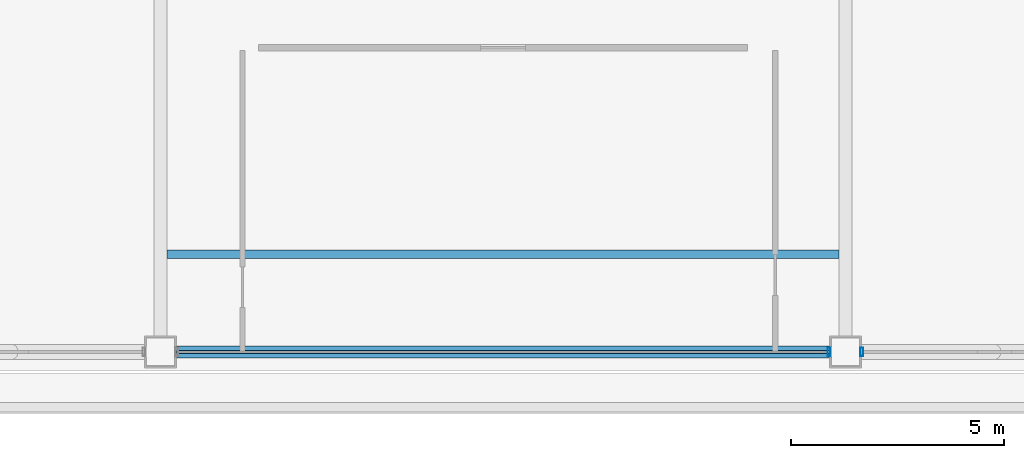
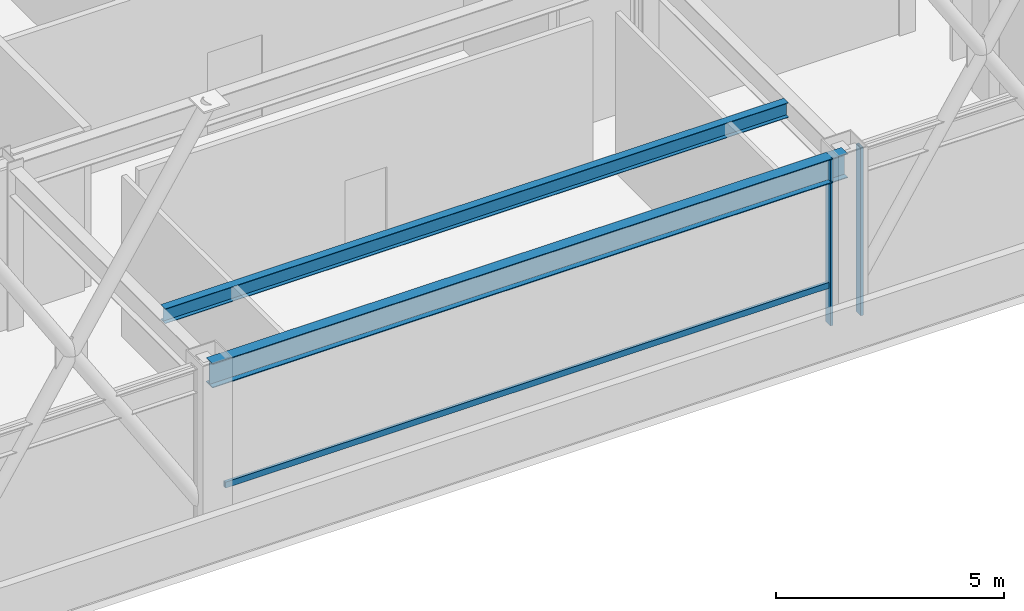
# One storey, part 5 of 24: 3 members, 2 beams, 2 elements without a shape of their own.
"""IFC4 building model written with IfcOpenShell, lengths in metres."""

from ifc_helpers import new_model, si_unit, direction, frame, origin, origin_2d, place, context, subcontext, project, spatial, hollow_rectangle, i_section, extrude, material, layer, layer_set, material_profile, profile_set, type_object, element, aggregate, save


model = new_model("IFC4")

# Units and contexts
model_context = context("Model", 3, precision=1e-05, world=origin(), true_north=direction((0.0, 1.0)))
body_context = subcontext(model_context, "Body", "Model", "MODEL_VIEW")
ifc_project = project(units=[si_unit("LENGTHUNIT", "METRE"), si_unit("AREAUNIT", "SQUARE_METRE"), si_unit("VOLUMEUNIT", "CUBIC_METRE"), si_unit("PLANEANGLEUNIT", "RADIAN"), si_unit("MASSUNIT", "GRAM", prefix="KILO")], contexts=[model_context])

# Site, building, storey
site_placement = place(None, origin())
site = spatial("IfcSite", under=ifc_project, at=site_placement, CompositionType="ELEMENT")
building_placement = place(site_placement, origin())
building = spatial("IfcBuilding", under=site, at=building_placement, Name="Brelmoor Portico Tower", CompositionType="ELEMENT")
storey_placement = place(building_placement, frame((0.0, 0.0, 150.60009765625)))
storey = spatial("IfcBuildingStorey", under=building, at=storey_placement, Name="L39", CompositionType="ELEMENT", Elevation=150.60009765625)

# Beams
ifc_material_1 = material(Name="Steel Q355B", Category="steel")
ifc_material_profile_1 = material_profile(ifc_material_1, i_section(OverallWidth=0.199951171875, OverallDepth=0.39990234375, WebThickness=0.008056640625, FlangeThickness=0.012939453125, at=origin_2d()), Name="HN 400x200x8x13")
ifc_profile_set_1 = profile_set([ifc_material_profile_1], Name="Steel Q355B")
beam_type_1 = type_object("IfcBeamType", Name="BM-JS-400", PredefinedType="JOIST", material=ifc_profile_set_1)
beam_1_placement = place(storey_placement, frame((-7.89990234375, -16.25, 4.099853515625), z_axis=(1.0, 0.0, 0.0), x_axis=(0.0, 1.0, 0.0)))
element("IfcBeam", 1, at=beam_1_placement, inside=storey, type_object=beam_type_1, Name="L39 Secondary Composite Joist JS-C01", PredefinedType="JOIST", context=body_context, shape_type="SweptSolid", body=[
    extrude(i_section(OverallWidth=0.199951171875, OverallDepth=0.39990234375, WebThickness=0.008056640625, FlangeThickness=0.012939453125, at=origin_2d()), origin(), (0.0, 0.0, 1.0), 15.7998046875),
])
ifc_material_profile_2 = material_profile(ifc_material_1, i_section(OverallWidth=0.280029296875, OverallDepth=0.64990234375, WebThickness=0.012939453125, FlangeThickness=0.02197265625, at=origin_2d()), Name="HN 650x280x13x22")
ifc_profile_set_2 = profile_set([ifc_material_profile_2], Name="Steel Q355B")
beam_type_2 = type_object("IfcBeamType", Name="BM-SP-650", PredefinedType="SPANDREL", material=ifc_profile_set_2)
beam_2_placement = place(storey_placement, frame((-8.050048828125, -18.550048828125, 3.974853515625), z_axis=(1.0, 0.0, 0.0), x_axis=(0.0, 1.0, 0.0)))
element("IfcBeam", 2, at=beam_2_placement, inside=storey, type_object=beam_type_2, Name="L39 Perimeter Spandrel Beam SP-02", PredefinedType="SPANDREL", context=body_context, shape_type="SweptSolid", body=[
    extrude(i_section(OverallWidth=0.280029296875, OverallDepth=0.64990234375, WebThickness=0.012939453125, FlangeThickness=0.02197265625, at=origin_2d()), origin(), (0.0, 0.0, 1.0), 16.10009765625),
])

# Curtain wall, member
ifc_material_2 = material(Name="Anodised Aluminium Alloy 6063-T6", Category="aluminium")
ifc_layer_1 = layer(ifc_material_2, 0.179931640625)
ifc_layer_set_1 = layer_set([ifc_layer_1], Name="Anodised Aluminium Alloy 6063-T6")
curtain_wall_type_1 = type_object("IfcCurtainWallType", Name="CW-SKYLOBBY", PredefinedType="NOTDEFINED", material=ifc_layer_set_1)
curtain_wall_1_placement = place(storey_placement, origin())
curtain_wall_1 = element("IfcCurtainWall", 3, at=curtain_wall_1_placement, inside=storey, type_object=curtain_wall_type_1, Name="L39 Curtain Wall CW-L39-01-2", PredefinedType="NOTDEFINED")
ifc_material_profile_3 = material_profile(ifc_material_2, hollow_rectangle(XDim=0.070068359375, YDim=0.199951171875, WallThickness=0.00439453125, at=origin_2d()), Name="ALU MULLION 70x200")
ifc_profile_set_3 = profile_set([ifc_material_profile_3], Name="Anodised Aluminium Alloy 6063-T6")
member_type_1 = type_object("IfcMemberType", Name="MB-CW-MULL-200", PredefinedType="MULLION", material=ifc_profile_set_3)
member_1_placement = place(storey_placement, frame((7.6650390625, -18.550048828125, -0.2001953125), z_axis=(0.0, 0.0, 1.0), x_axis=(1.0, 0.0, 0.0)))
member_1 = element("IfcMember", 4, at=member_1_placement, type_object=member_type_1, Name="CW-L39-01-2 Mullion 01", PredefinedType="MULLION", context=body_context, shape_type="SweptSolid", body=[
    extrude(hollow_rectangle(XDim=0.070068359375, YDim=0.199951171875, WallThickness=0.00439453125, at=origin_2d()), origin(), (0.0, 0.0, 1.0), 4.5),
])

ifc_layer_2 = layer(ifc_material_2, 0.179931640625)
ifc_layer_set_2 = layer_set([ifc_layer_2], Name="Anodised Aluminium Alloy 6063-T6")
curtain_wall_type_2 = type_object("IfcCurtainWallType", Name="CW-SKYLOBBY-XB", PredefinedType="NOTDEFINED", material=ifc_layer_set_2)
curtain_wall_2_placement = place(storey_placement, origin())
curtain_wall_2 = element("IfcCurtainWall", 5, at=curtain_wall_2_placement, inside=storey, type_object=curtain_wall_type_2, Name="L39 Curtain Wall CW-L39-01-3", PredefinedType="NOTDEFINED")
member_2_placement = place(storey_placement, frame((8.43505859375, -18.550048828125, -0.2001953125), z_axis=(0.0, 0.0, 1.0), x_axis=(1.0, 0.0, 0.0)))
member_2 = element("IfcMember", 6, at=member_2_placement, type_object=member_type_1, Name="CW-L39-01-3 Mullion 00", PredefinedType="MULLION", context=body_context, shape_type="SweptSolid", body=[
    extrude(hollow_rectangle(XDim=0.070068359375, YDim=0.199951171875, WallThickness=0.00439453125, at=origin_2d()), origin(), (0.0, 0.0, 1.0), 4.5),
])
aggregate(curtain_wall_2, [member_2])

# Member
ifc_material_profile_4 = material_profile(ifc_material_2, hollow_rectangle(XDim=0.070068359375, YDim=0.159912109375, WallThickness=0.00390625, at=origin_2d()), Name="ALU TRANSOM 70x160")
ifc_profile_set_4 = profile_set([ifc_material_profile_4], Name="Anodised Aluminium Alloy 6063-T6")
member_type_2 = type_object("IfcMemberType", Name="MB-CW-TRAN-160", PredefinedType="USERDEFINED", material=ifc_profile_set_4)
member_3_placement = place(storey_placement, frame((-7.6650390625, -18.550048828125, 0.849853515625), z_axis=(1.0, 0.0, 0.0), x_axis=(0.0, 1.0, 0.0)))
member_3 = element("IfcMember", 7, at=member_3_placement, type_object=member_type_2, Name="CW-L39-01-2 Transom 1-00", ObjectType="TRANSOM", PredefinedType="USERDEFINED", context=body_context, shape_type="SweptSolid", body=[
    extrude(hollow_rectangle(XDim=0.070068359375, YDim=0.159912109375, WallThickness=0.00390625, at=origin_2d()), origin(), (0.0, 0.0, 1.0), 15.330078125),
])

aggregate(curtain_wall_1, [member_1, member_3])

save(model, "model.ifc")
